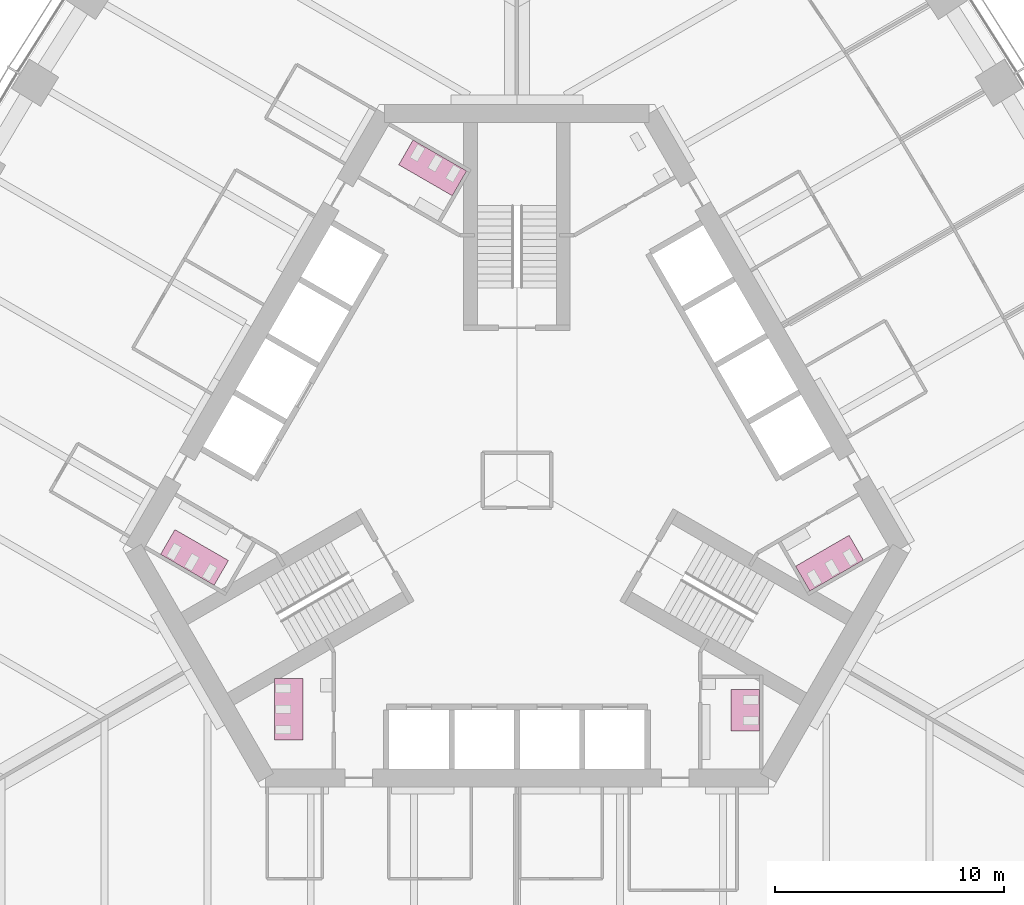
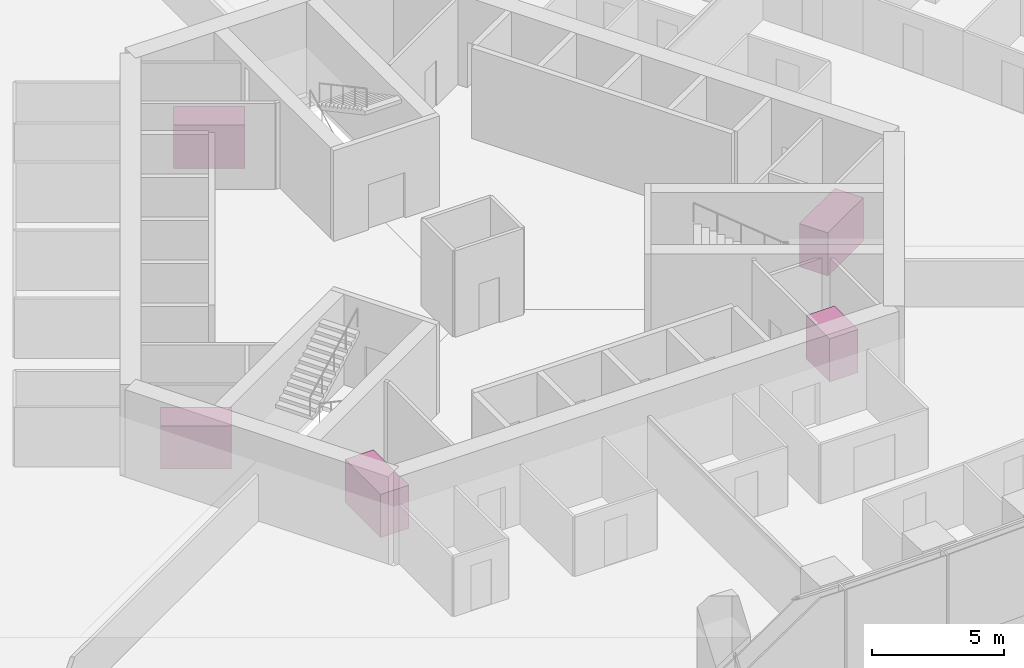
# One storey, part 19 of 19: 5 furniture elements.
"""IFC4 building model written with IfcOpenShell, lengths in metres."""

import ifcopenshell
import ifcopenshell.guid

model = None  # the IFC model being written
_history = None  # IfcOwnerHistory: only IFC2X3 demands one
_inside = {}  # id of a spatial element -> (the spatial element, [elements in it])
_under = {}  # id of a project, library or spatial element -> (it, [spatial elements below it])
_declared = {}  # id of a project -> (the project, [libraries it declares])
_typed = {}  # id of a type object -> (the type object, [elements of that type])
_made_of = {}  # id of a material, layer set ... -> (it, [elements and type objects made of it])


def new_model(schema):
    """Start an empty IFC model of exactly this schema.

    Asked for "IFC4X3", IfcOpenShell would pick the latest addendum, in which some entities
    have other attributes; the version numbers below select the first issue.
    IFC2X3 requires an IfcOwnerHistory on every rooted entity: one is made here for all.
    """
    global model, _history
    if schema == "IFC4X3":
        model = ifcopenshell.file(schema_version=(4, 3, 0, 0))
    else:
        model = ifcopenshell.file(schema=schema)
    _inside.clear()
    _under.clear()
    _declared.clear()
    _typed.clear()
    _made_of.clear()
    _history = None
    if model.schema == "IFC2X3":
        org = make("IfcOrganization", Name="unknown")
        user = make(
            "IfcPersonAndOrganization",
            ThePerson=make("IfcPerson", FamilyName="unknown"),
            TheOrganization=org,
        )
        app = make(
            "IfcApplication",
            ApplicationDeveloper=org,
            Version="unknown",
            ApplicationFullName="unknown",
            ApplicationIdentifier="unknown",
        )
        _history = make(
            "IfcOwnerHistory",
            OwningUser=user,
            OwningApplication=app,
            ChangeAction="ADDED",
            CreationDate=0,
        )
    return model


def make(cls, **values):
    """One entity of the class cls with the attributes given. An attribute that is None is left unset."""
    return model.create_entity(
        cls, **{name: value for name, value in values.items() if value is not None}
    )


def rooted(cls, **values):
    """An entity with a GlobalId (a new one), such as an element, a storey or a relation."""
    return make(cls, GlobalId=ifcopenshell.guid.new(), OwnerHistory=_history, **values)


def si_unit(unit_type, name, prefix=None):
    """IfcSIUnit, for example si_unit("LENGTHUNIT", "METRE", prefix="MILLI")."""
    return make("IfcSIUnit", UnitType=unit_type, Prefix=prefix, Name=name)


def assignment(units):
    """IfcUnitAssignment: the units of a project."""
    return None if units is None else make("IfcUnitAssignment", Units=units)


def point(xyz):
    """IfcCartesianPoint."""
    return None if xyz is None else make("IfcCartesianPoint", Coordinates=xyz)


def direction(xyz):
    """IfcDirection."""
    return None if xyz is None else make("IfcDirection", DirectionRatios=xyz)


def frame(location, z_axis=None, x_axis=None):
    """IfcAxis2Placement3D, a coordinate frame: its origin and axes. An axis left out is left unset."""
    return make(
        "IfcAxis2Placement3D",
        Location=point(location),
        Axis=direction(z_axis),
        RefDirection=direction(x_axis),
    )


def origin():
    """The frame at (0, 0, 0) with its axes left unset."""
    return frame((0.0, 0.0, 0.0))


def place(relative_to, where):
    """IfcLocalPlacement: puts the frame where relative to a parent placement (None: the world)."""
    return make(
        "IfcLocalPlacement", PlacementRelTo=relative_to, RelativePlacement=where
    )


def context(
    kind, dimensions, precision=None, world=None, true_north=None, identifier=None
):
    """IfcGeometricRepresentationContext, for example the 3D "Model" context."""
    return make(
        "IfcGeometricRepresentationContext",
        ContextIdentifier=identifier,
        ContextType=kind,
        CoordinateSpaceDimension=dimensions,
        Precision=precision,
        WorldCoordinateSystem=world,
        TrueNorth=true_north,
    )


def subcontext(parent, identifier, kind, view, scale=None):
    """IfcGeometricRepresentationSubContext, for example "Body" below "Model"."""
    return make(
        "IfcGeometricRepresentationSubContext",
        ContextIdentifier=identifier,
        ContextType=kind,
        ParentContext=parent,
        TargetScale=scale,
        TargetView=view,
    )


def project(units=None, contexts=None):
    """IfcProject with its units and contexts."""
    return rooted(
        "IfcProject",
        Name="project",
        RepresentationContexts=contexts,
        UnitsInContext=assignment(units),
    )


def spatial(cls, under=None, at=None, **own):
    """A site, building, storey or space (cls), placed at a placement, below another one or the project."""
    s = rooted(cls, ObjectPlacement=at, **own)
    if under is not None:
        _under.setdefault(under.id(), (under, []))[1].append(s)
    return s


def polyline(points):
    """IfcPolyline through the points."""
    return make("IfcPolyline", Points=[point(p) for p in points])


def outline(outer, holes=None, kind="AREA"):
    """IfcArbitraryClosedProfileDef: a profile drawn as a closed curve; with holes, ...WithVoids."""
    if holes is None:
        return make("IfcArbitraryClosedProfileDef", ProfileType=kind, OuterCurve=outer)
    return make(
        "IfcArbitraryProfileDefWithVoids",
        ProfileType=kind,
        OuterCurve=outer,
        InnerCurves=holes,
    )


def extrude(swept, where, along, depth):
    """IfcExtrudedAreaSolid: the profile swept, set in the frame where, extruded along a direction by depth."""
    return make(
        "IfcExtrudedAreaSolid",
        SweptArea=swept,
        Position=where,
        ExtrudedDirection=direction(along),
        Depth=depth,
    )


def shape(context_of_items, identifier, shape_type, items):
    """IfcShapeRepresentation: the items that make up one representation, for example the "Body"."""
    return make(
        "IfcShapeRepresentation",
        ContextOfItems=context_of_items,
        RepresentationIdentifier=identifier,
        RepresentationType=shape_type,
        Items=items,
    )


def material(Name=None, Category=None):
    """IfcMaterial."""
    return make("IfcMaterial", Name=Name, Category=Category)


def made_of(thing, what):
    """Note that an element or type object is made of a material, layer set ...; save() writes the relation."""
    if what is not None:
        _made_of.setdefault(what.id(), (what, []))[1].append(thing)
    return thing


def type_object(cls, material=None, **own):
    """A type object (cls), such as IfcWallType, which elements share."""
    return made_of(rooted(cls, **own), material)


def element(
    cls,
    number,
    at=None,
    inside=None,
    cuts=None,
    type_object=None,
    material=None,
    context=None,
    identifier="Body",
    shape_type=None,
    held_by="IfcProductDefinitionShape",
    body=None,
    shapes=None,
    **own,
):
    """One element of the class cls, such as IfcWall. Its Tag is "e" and its number.

    at: its placement. inside: the storey or other place that contains it. cuts: it is an
    opening in that element (IfcRelVoidsElement). A single representation is given by context,
    identifier, shape_type and body (its items); several are given by shapes. held_by: the class
    of the entity that holds the representations. save() writes the other relations.
    """
    e = rooted(cls, Tag="e%d" % number, ObjectPlacement=at, **own)
    if body is not None:
        shapes = [shape(context, identifier, shape_type, body)]
    if shapes is not None:
        e.Representation = make(held_by, Representations=shapes)
    if inside is not None:
        _inside.setdefault(inside.id(), (inside, []))[1].append(e)
    if cuts is not None:
        rooted(
            "IfcRelVoidsElement", RelatingBuildingElement=cuts, RelatedOpeningElement=e
        )
    if type_object is not None:
        _typed.setdefault(type_object.id(), (type_object, []))[1].append(e)
    return made_of(e, material)


def aggregate(whole, parts):
    """IfcRelAggregates: a whole, such as a stair, and the parts it consists of."""
    return rooted("IfcRelAggregates", RelatingObject=whole, RelatedObjects=parts)


def save(model, path):
    """Write the relations noted so far, then the file.

    IfcRelAggregates (storeys below a building ...), IfcRelContainedInSpatialStructure (elements
    in a storey), IfcRelDefinesByType, IfcRelAssociatesMaterial and IfcRelDeclares: one each for
    every whole, place, type object, material and project.
    """
    for whole, parts in _under.values():
        aggregate(whole, parts)
    for where, things in _inside.values():
        rooted(
            "IfcRelContainedInSpatialStructure",
            RelatedElements=things,
            RelatingStructure=where,
        )
    for kind, things in _typed.values():
        rooted("IfcRelDefinesByType", RelatedObjects=things, RelatingType=kind)
    for what, things in _made_of.values():
        rooted("IfcRelAssociatesMaterial", RelatedObjects=things, RelatingMaterial=what)
    for by, libraries in _declared.values():
        rooted("IfcRelDeclares", RelatingContext=by, RelatedDefinitions=libraries)
    model.write(path)


model = new_model("IFC4")

# Units and contexts
model_context = context("Model", 3, precision=1e-05, world=origin(), true_north=direction((0.0, 1.0)))
body_context = subcontext(model_context, "Body", "Model", "MODEL_VIEW")
ifc_project = project(units=[si_unit("LENGTHUNIT", "METRE"), si_unit("AREAUNIT", "SQUARE_METRE"), si_unit("VOLUMEUNIT", "CUBIC_METRE"), si_unit("PLANEANGLEUNIT", "RADIAN"), si_unit("MASSUNIT", "GRAM", prefix="KILO")], contexts=[model_context])

# Site, building, storey
site_placement = place(None, origin())
site = spatial("IfcSite", under=ifc_project, at=site_placement, CompositionType="ELEMENT")
building_placement = place(site_placement, origin())
building = spatial("IfcBuilding", under=site, at=building_placement, Name="Trefoil Bronze Tower", CompositionType="ELEMENT")
storey_placement = place(building_placement, frame((0.0, 0.0, 45.89990234375)))
storey = spatial("IfcBuildingStorey", under=building, at=storey_placement, Name="L10", CompositionType="ELEMENT", Elevation=45.89990234375)

# Furniture
ifc_material_1 = material(Name="Compact laminate cubicles", Category="plastic")
furniture_type_1 = type_object("IfcFurnitureType", Name="WC cubicle range 2 cubicles", AssemblyPlace="FACTORY", PredefinedType="USERDEFINED", material=ifc_material_1)
furniture_1_placement = place(storey_placement, origin())
element("IfcFurniture", 1, at=furniture_1_placement, inside=storey, type_object=furniture_type_1, Name="WC cubicle range WC (men) L10", ObjectType="WC cubicle range", PredefinedType="USERDEFINED", context=body_context, shape_type="SweptSolid", body=[
    extrude(outline(polyline([(9.3349609375, -9.14990234375), (10.5849609375, -9.14990234375), (10.5849609375, -10.949951171875), (9.3349609375, -10.949951171875), (9.3349609375, -9.14990234375)])), origin(), (0.0, 0.0, 1.0), 2.0),
])
ifc_material_2 = material(Name="Compact laminate cubicles", Category="plastic")
furniture_type_2 = type_object("IfcFurnitureType", Name="WC cubicle range 3 cubicles", AssemblyPlace="FACTORY", PredefinedType="USERDEFINED", material=ifc_material_2)
furniture_2_placement = place(storey_placement, origin())
element("IfcFurniture", 2, at=furniture_2_placement, inside=storey, type_object=furniture_type_2, Name="WC cubicle range WC (women) L10", ObjectType="WC cubicle range", PredefinedType="USERDEFINED", context=body_context, shape_type="SweptSolid", body=[
    extrude(outline(polyline([(12.15869140625, -3.75927734375), (12.78369140625, -4.841796875), (15.121826171875, -3.491943359375), (14.496826171875, -2.409423828125), (12.15869140625, -3.75927734375)])), origin(), (0.0, 0.0, 1.0), 2.0),
])
furniture_3_placement = place(storey_placement, origin())
element("IfcFurniture", 3, at=furniture_3_placement, inside=storey, type_object=furniture_type_2, Name="WC cubicle range WC (women) L10", ObjectType="WC cubicle range", PredefinedType="USERDEFINED", context=body_context, shape_type="SweptSolid", body=[
    extrude(outline(polyline([(-2.82373046875, 12.409423828125), (-2.19873046875, 13.491943359375), (-4.536865234375, 14.841796875), (-5.161865234375, 13.75927734375), (-2.82373046875, 12.409423828125)])), origin(), (0.0, 0.0, 1.0), 2.0),
])
furniture_4_placement = place(storey_placement, origin())
element("IfcFurniture", 4, at=furniture_4_placement, inside=storey, type_object=furniture_type_2, Name="WC cubicle range WC (men) L10", ObjectType="WC cubicle range", PredefinedType="USERDEFINED", context=body_context, shape_type="SweptSolid", body=[
    extrude(outline(polyline([(-12.591552734375, -3.50927734375), (-13.216552734375, -4.591796875), (-15.554931640625, -3.241943359375), (-14.929931640625, -2.159423828125), (-12.591552734375, -3.50927734375)])), origin(), (0.0, 0.0, 1.0), 2.0),
])
furniture_5_placement = place(storey_placement, origin())
element("IfcFurniture", 5, at=furniture_5_placement, inside=storey, type_object=furniture_type_2, Name="WC cubicle range WC (women) L10", ObjectType="WC cubicle range", PredefinedType="USERDEFINED", context=body_context, shape_type="SweptSolid", body=[
    extrude(outline(polyline([(-9.3349609375, -8.64990234375), (-10.5849609375, -8.64990234375), (-10.5849609375, -11.35009765625), (-9.3349609375, -11.35009765625), (-9.3349609375, -8.64990234375)])), origin(), (0.0, 0.0, 1.0), 2.0),
])

save(model, "model.ifc")
